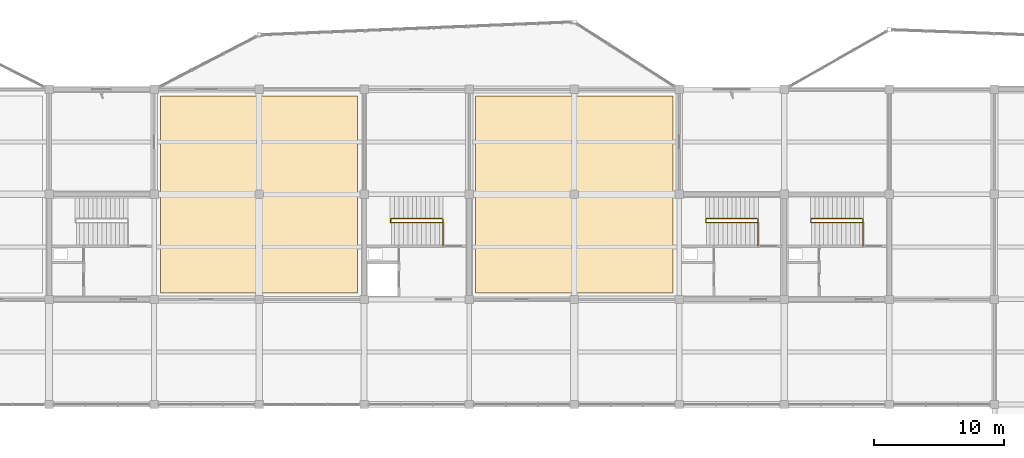
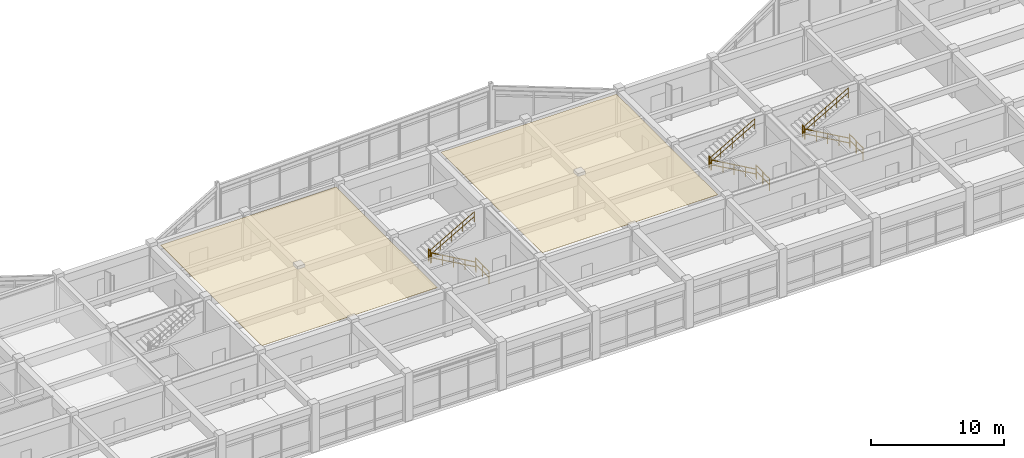
# One storey, part 85 of 89: 12 railings, 2 coverings.
"""IFC4 building model written with IfcOpenShell, lengths in metres."""

from ifc_helpers import new_model, si_unit, direction, frame, origin, origin_2d, place, context, subcontext, project, spatial, polyline, circle, outline, extrude, material, layer, layer_set, type_object, element, save


model = new_model("IFC4")

# Units and contexts
model_context = context("Model", 3, precision=1e-05, world=origin(), true_north=direction((0.0, 1.0)))
body_context = subcontext(model_context, "Body", "Model", "MODEL_VIEW")
ifc_project = project(units=[si_unit("LENGTHUNIT", "METRE"), si_unit("AREAUNIT", "SQUARE_METRE"), si_unit("VOLUMEUNIT", "CUBIC_METRE"), si_unit("PLANEANGLEUNIT", "RADIAN"), si_unit("MASSUNIT", "GRAM", prefix="KILO")], contexts=[model_context])

# Site, building, storey
site_placement = place(None, origin())
site = spatial("IfcSite", under=ifc_project, at=site_placement, CompositionType="ELEMENT")
building_placement = place(site_placement, origin())
building = spatial("IfcBuilding", under=site, at=building_placement, Name="Vaudrelin Polytechnic", CompositionType="ELEMENT")
storey_placement = place(building_placement, frame((0.0, 0.0, 9.68994140625)))
storey = spatial("IfcBuildingStorey", under=building, at=storey_placement, Name="L02", CompositionType="ELEMENT", Elevation=9.68994140625)

# Coverings
ifc_material_1 = material(Name="Mineral-fibre acoustic ceiling tile NRC 0.85", Category="ceiling")
ifc_layer = layer(ifc_material_1, 0.02490234375)
ifc_layer_set = layer_set([ifc_layer], Name="Mineral-fibre acoustic ceiling tile NRC 0.85")
covering_type = type_object("IfcCoveringType", Name="COV-CLG-ACT", PredefinedType="CEILING", material=ifc_layer_set)
covering_1_placement = place(storey_placement, frame((0.0, 0.0, 4.114990234375)))
element("IfcCovering", 1, at=covering_1_placement, inside=storey, type_object=covering_type, Name="Acoustic ceiling L02-010", PredefinedType="CEILING", context=body_context, shape_type="SweptSolid", body=[
    extrude(outline(polyline([(65.300048828125, 105.800048828125), (80.5, 105.800048828125), (80.5, 121.0), (65.300048828125, 121.0), (65.300048828125, 105.800048828125)])), origin(), (0.0, 0.0, 1.0), 0.025146484375),
])
covering_2_placement = place(storey_placement, frame((0.0, 0.0, 4.114990234375)))
element("IfcCovering", 2, at=covering_2_placement, inside=storey, type_object=covering_type, Name="Acoustic ceiling L02-011", PredefinedType="CEILING", context=body_context, shape_type="SweptSolid", body=[
    extrude(outline(polyline([(89.60009765625, 105.800048828125), (104.800048828125, 105.800048828125), (104.800048828125, 121.0), (89.60009765625, 121.0), (89.60009765625, 105.800048828125)])), origin(), (0.0, 0.0, 1.0), 0.025146484375),
])

# Railings
ifc_material_2 = material(Name="Brushed stainless steel AISI 304", Category="steel")
railing_type_1 = type_object("IfcRailingType", Name="RAL-GR-INT", PredefinedType="GUARDRAIL", material=ifc_material_2)
railing_1_placement = place(storey_placement, frame((87.080078125, 109.409912109375, 0.0)))
element("IfcRailing", 3, at=railing_1_placement, inside=storey, type_object=railing_type_1, Name="ST-02-L01 upper well guardrail", PredefinedType="GUARDRAIL", context=body_context, shape_type="SweptSolid", body=[
    extrude(circle(Radius=0.02392578125, at=origin_2d()), frame((0.0, 0.023193359375, 1.09619140625), z_axis=(0.0, 1.0, 0.0), x_axis=(-1.0, 0.0, 0.0)), (0.0, 0.0, 1.0), 2.02392578125),
    extrude(circle(Radius=0.02392578125, at=origin_2d()), frame((0.0, 0.023193359375, 0.56005859375), z_axis=(0.0, 1.0, 0.0), x_axis=(-1.0, 0.0, 0.0)), (0.0, 0.0, 1.0), 2.02392578125),
    extrude(circle(Radius=0.02099609375, at=origin_2d()), origin(), (0.0, 0.0, 1.0), 1.1201171875),
    extrude(circle(Radius=0.02099609375, at=origin_2d()), frame((0.0, 1.03515625, 0.0)), (0.0, 0.0, 1.0), 1.1201171875),
    extrude(circle(Radius=0.02099609375, at=origin_2d()), frame((0.0, 2.070068359375, 0.0)), (0.0, 0.0, 1.0), 1.1201171875),
])
railing_2_placement = place(storey_placement, frame((83.050048828125, 111.239990234375, 2.2099609375)))
element("IfcRailing", 4, at=railing_2_placement, inside=storey, type_object=railing_type_1, Name="ST-02-L02 landing well guardrail", PredefinedType="GUARDRAIL", context=body_context, shape_type="SweptSolid", body=[
    extrude(circle(Radius=0.02392578125, at=origin_2d()), frame((0.0, 0.023193359375, 1.09619140625), z_axis=(0.0, 1.0, 0.0), x_axis=(-1.0, 0.0, 0.0)), (0.0, 0.0, 1.0), 0.23388671875),
    extrude(circle(Radius=0.02392578125, at=origin_2d()), frame((0.0, 0.023193359375, 0.56005859375), z_axis=(0.0, 1.0, 0.0), x_axis=(-1.0, 0.0, 0.0)), (0.0, 0.0, 1.0), 0.23388671875),
    extrude(circle(Radius=0.02099609375, at=origin_2d()), origin(), (0.0, 0.0, 1.0), 1.1201171875),
    extrude(circle(Radius=0.02099609375, at=origin_2d()), frame((0.0, 0.280029296875, 0.0)), (0.0, 0.0, 1.0), 1.1201171875),
])
railing_3_placement = place(storey_placement, frame((119.47998046875, 109.409912109375, 0.0)))
element("IfcRailing", 5, at=railing_3_placement, inside=storey, type_object=railing_type_1, Name="ST-10-L01 upper well guardrail", PredefinedType="GUARDRAIL", context=body_context, shape_type="SweptSolid", body=[
    extrude(circle(Radius=0.02392578125, at=origin_2d()), frame((0.0, 0.023193359375, 1.09619140625), z_axis=(0.0, 1.0, 0.0), x_axis=(-1.0, 0.0, 0.0)), (0.0, 0.0, 1.0), 2.02392578125),
    extrude(circle(Radius=0.02392578125, at=origin_2d()), frame((0.0, 0.023193359375, 0.56005859375), z_axis=(0.0, 1.0, 0.0), x_axis=(-1.0, 0.0, 0.0)), (0.0, 0.0, 1.0), 2.02392578125),
    extrude(circle(Radius=0.02099609375, at=origin_2d()), origin(), (0.0, 0.0, 1.0), 1.1201171875),
    extrude(circle(Radius=0.02099609375, at=origin_2d()), frame((0.0, 1.03515625, 0.0)), (0.0, 0.0, 1.0), 1.1201171875),
    extrude(circle(Radius=0.02099609375, at=origin_2d()), frame((0.0, 2.070068359375, 0.0)), (0.0, 0.0, 1.0), 1.1201171875),
])
railing_4_placement = place(storey_placement, frame((115.449951171875, 111.239990234375, 2.2099609375)))
element("IfcRailing", 6, at=railing_4_placement, inside=storey, type_object=railing_type_1, Name="ST-10-L02 landing well guardrail", PredefinedType="GUARDRAIL", context=body_context, shape_type="SweptSolid", body=[
    extrude(circle(Radius=0.02392578125, at=origin_2d()), frame((0.0, 0.023193359375, 1.09619140625), z_axis=(0.0, 1.0, 0.0), x_axis=(-1.0, 0.0, 0.0)), (0.0, 0.0, 1.0), 0.23388671875),
    extrude(circle(Radius=0.02392578125, at=origin_2d()), frame((0.0, 0.023193359375, 0.56005859375), z_axis=(0.0, 1.0, 0.0), x_axis=(-1.0, 0.0, 0.0)), (0.0, 0.0, 1.0), 0.23388671875),
    extrude(circle(Radius=0.02099609375, at=origin_2d()), origin(), (0.0, 0.0, 1.0), 1.1201171875),
    extrude(circle(Radius=0.02099609375, at=origin_2d()), frame((0.0, 0.280029296875, 0.0)), (0.0, 0.0, 1.0), 1.1201171875),
])
railing_5_placement = place(storey_placement, frame((111.3798828125, 109.409912109375, 0.0)))
element("IfcRailing", 7, at=railing_5_placement, inside=storey, type_object=railing_type_1, Name="ST-11-L01 upper well guardrail", PredefinedType="GUARDRAIL", context=body_context, shape_type="SweptSolid", body=[
    extrude(circle(Radius=0.02392578125, at=origin_2d()), frame((0.0, 0.023193359375, 1.09619140625), z_axis=(0.0, 1.0, 0.0), x_axis=(-1.0, 0.0, 0.0)), (0.0, 0.0, 1.0), 2.02392578125),
    extrude(circle(Radius=0.02392578125, at=origin_2d()), frame((0.0, 0.023193359375, 0.56005859375), z_axis=(0.0, 1.0, 0.0), x_axis=(-1.0, 0.0, 0.0)), (0.0, 0.0, 1.0), 2.02392578125),
    extrude(circle(Radius=0.02099609375, at=origin_2d()), origin(), (0.0, 0.0, 1.0), 1.1201171875),
    extrude(circle(Radius=0.02099609375, at=origin_2d()), frame((0.0, 1.03515625, 0.0)), (0.0, 0.0, 1.0), 1.1201171875),
    extrude(circle(Radius=0.02099609375, at=origin_2d()), frame((0.0, 2.070068359375, 0.0)), (0.0, 0.0, 1.0), 1.1201171875),
])
railing_6_placement = place(storey_placement, frame((107.35009765625, 111.239990234375, 2.2099609375)))
element("IfcRailing", 8, at=railing_6_placement, inside=storey, type_object=railing_type_1, Name="ST-11-L02 landing well guardrail", PredefinedType="GUARDRAIL", context=body_context, shape_type="SweptSolid", body=[
    extrude(circle(Radius=0.02392578125, at=origin_2d()), frame((0.0, 0.023193359375, 1.09619140625), z_axis=(0.0, 1.0, 0.0), x_axis=(-1.0, 0.0, 0.0)), (0.0, 0.0, 1.0), 0.23388671875),
    extrude(circle(Radius=0.02392578125, at=origin_2d()), frame((0.0, 0.023193359375, 0.56005859375), z_axis=(0.0, 1.0, 0.0), x_axis=(-1.0, 0.0, 0.0)), (0.0, 0.0, 1.0), 0.23388671875),
    extrude(circle(Radius=0.02099609375, at=origin_2d()), origin(), (0.0, 0.0, 1.0), 1.1201171875),
    extrude(circle(Radius=0.02099609375, at=origin_2d()), frame((0.0, 0.280029296875, 0.0)), (0.0, 0.0, 1.0), 1.1201171875),
])
railing_type_2 = type_object("IfcRailingType", Name="RAL-HR-STR", PredefinedType="HANDRAIL", material=ifc_material_2)
railing_7_placement = place(storey_placement, frame((87.0, 111.22998046875, 0.0)))
element("IfcRailing", 9, at=railing_7_placement, inside=storey, type_object=railing_type_2, Name="ST-02-L02 flight 1 handrail", PredefinedType="HANDRAIL", context=body_context, shape_type="SweptSolid", body=[
    extrude(circle(Radius=0.02392578125, at=origin_2d()), frame((-0.02001953125, 0.0, 0.9072265625), z_axis=(-0.86947626696, 0.0, 0.493974717161), x_axis=(0.0, -1.0, 0.0)), (0.0, 0.0, 1.0), 4.427734375),
    extrude(circle(Radius=0.02392578125, at=origin_2d()), frame((-0.02001953125, 0.0, 0.471435546875), z_axis=(-0.86947626696, 0.0, 0.493974717161), x_axis=(0.0, -1.0, 0.0)), (0.0, 0.0, 1.0), 4.427734375),
    extrude(circle(Radius=0.02099609375, at=origin_2d()), origin(), (0.0, 0.0, 1.0), 0.919921875),
    extrude(circle(Radius=0.02099609375, at=origin_2d()), frame((-0.972412109375, 0.0, 0.552490234375)), (0.0, 0.0, 1.0), 0.919921875),
    extrude(circle(Radius=0.02099609375, at=origin_2d()), frame((-1.94482421875, 0.0, 1.10498046875)), (0.0, 0.0, 1.0), 0.919921875),
    extrude(circle(Radius=0.02099609375, at=origin_2d()), frame((-2.91748046875, 0.0, 1.657470703125)), (0.0, 0.0, 1.0), 0.919921875),
    extrude(circle(Radius=0.02099609375, at=origin_2d()), frame((-3.889892578125, 0.0, 2.2099609375)), (0.0, 0.0, 1.0), 0.919921875),
])
railing_8_placement = place(storey_placement, frame((83.110107421875, 111.530029296875, 2.2099609375)))
element("IfcRailing", 10, at=railing_8_placement, inside=storey, type_object=railing_type_2, Name="ST-02-L02 flight 2 handrail", PredefinedType="HANDRAIL", context=body_context, shape_type="SweptSolid", body=[
    extrude(circle(Radius=0.02392578125, at=origin_2d()), frame((0.02001953125, 0.0, 0.9072265625), z_axis=(0.869452828501, 0.0, 0.494015970402), x_axis=(0.0, 1.0, 0.0)), (0.0, 0.0, 1.0), 4.427734375),
    extrude(circle(Radius=0.02392578125, at=origin_2d()), frame((0.02001953125, 0.0, 0.471435546875), z_axis=(0.869452828501, 0.0, 0.494015970402), x_axis=(0.0, 1.0, 0.0)), (0.0, 0.0, 1.0), 4.427734375),
    extrude(circle(Radius=0.02099609375, at=origin_2d()), origin(), (0.0, 0.0, 1.0), 0.919921875),
    extrude(circle(Radius=0.02099609375, at=origin_2d()), frame((0.972412109375, 0.0, 0.552490234375)), (0.0, 0.0, 1.0), 0.919921875),
    extrude(circle(Radius=0.02099609375, at=origin_2d()), frame((1.94482421875, 0.0, 1.10498046875)), (0.0, 0.0, 1.0), 0.919921875),
    extrude(circle(Radius=0.02099609375, at=origin_2d()), frame((2.91748046875, 0.0, 1.65771484375)), (0.0, 0.0, 1.0), 0.919921875),
    extrude(circle(Radius=0.02099609375, at=origin_2d()), frame((3.889892578125, 0.0, 2.210205078125)), (0.0, 0.0, 1.0), 0.919921875),
])
railing_9_placement = place(storey_placement, frame((119.39990234375, 111.22998046875, 0.0)))
element("IfcRailing", 11, at=railing_9_placement, inside=storey, type_object=railing_type_2, Name="ST-10-L02 flight 1 handrail", PredefinedType="HANDRAIL", context=body_context, shape_type="SweptSolid", body=[
    extrude(circle(Radius=0.02392578125, at=origin_2d()), frame((-0.02001953125, 0.0, 0.9072265625), z_axis=(-0.86947626696, 0.0, 0.493974717161), x_axis=(0.0, -1.0, 0.0)), (0.0, 0.0, 1.0), 4.427734375),
    extrude(circle(Radius=0.02392578125, at=origin_2d()), frame((-0.02001953125, 0.0, 0.471435546875), z_axis=(-0.86947626696, 0.0, 0.493974717161), x_axis=(0.0, -1.0, 0.0)), (0.0, 0.0, 1.0), 4.427734375),
    extrude(circle(Radius=0.02099609375, at=origin_2d()), origin(), (0.0, 0.0, 1.0), 0.919921875),
    extrude(circle(Radius=0.02099609375, at=origin_2d()), frame((-0.972412109375, 0.0, 0.552490234375)), (0.0, 0.0, 1.0), 0.919921875),
    extrude(circle(Radius=0.02099609375, at=origin_2d()), frame((-1.94482421875, 0.0, 1.10498046875)), (0.0, 0.0, 1.0), 0.919921875),
    extrude(circle(Radius=0.02099609375, at=origin_2d()), frame((-2.91748046875, 0.0, 1.657470703125)), (0.0, 0.0, 1.0), 0.919921875),
    extrude(circle(Radius=0.02099609375, at=origin_2d()), frame((-3.889892578125, 0.0, 2.2099609375)), (0.0, 0.0, 1.0), 0.919921875),
])
railing_10_placement = place(storey_placement, frame((115.510009765625, 111.530029296875, 2.2099609375)))
element("IfcRailing", 12, at=railing_10_placement, inside=storey, type_object=railing_type_2, Name="ST-10-L02 flight 2 handrail", PredefinedType="HANDRAIL", context=body_context, shape_type="SweptSolid", body=[
    extrude(circle(Radius=0.02392578125, at=origin_2d()), frame((0.02001953125, 0.0, 0.9072265625), z_axis=(0.869452828501, 0.0, 0.494015970402), x_axis=(0.0, 1.0, 0.0)), (0.0, 0.0, 1.0), 4.427734375),
    extrude(circle(Radius=0.02392578125, at=origin_2d()), frame((0.02001953125, 0.0, 0.471435546875), z_axis=(0.869452828501, 0.0, 0.494015970402), x_axis=(0.0, 1.0, 0.0)), (0.0, 0.0, 1.0), 4.427734375),
    extrude(circle(Radius=0.02099609375, at=origin_2d()), origin(), (0.0, 0.0, 1.0), 0.919921875),
    extrude(circle(Radius=0.02099609375, at=origin_2d()), frame((0.972412109375, 0.0, 0.552490234375)), (0.0, 0.0, 1.0), 0.919921875),
    extrude(circle(Radius=0.02099609375, at=origin_2d()), frame((1.94482421875, 0.0, 1.10498046875)), (0.0, 0.0, 1.0), 0.919921875),
    extrude(circle(Radius=0.02099609375, at=origin_2d()), frame((2.91748046875, 0.0, 1.65771484375)), (0.0, 0.0, 1.0), 0.919921875),
    extrude(circle(Radius=0.02099609375, at=origin_2d()), frame((3.889892578125, 0.0, 2.210205078125)), (0.0, 0.0, 1.0), 0.919921875),
])
railing_11_placement = place(storey_placement, frame((111.300048828125, 111.22998046875, 0.0)))
element("IfcRailing", 13, at=railing_11_placement, inside=storey, type_object=railing_type_2, Name="ST-11-L02 flight 1 handrail", PredefinedType="HANDRAIL", context=body_context, shape_type="SweptSolid", body=[
    extrude(circle(Radius=0.02392578125, at=origin_2d()), frame((-0.02001953125, 0.0, 0.9072265625), z_axis=(-0.869489581884, 0.0, 0.493951279981), x_axis=(0.0, -1.0, 0.0)), (0.0, 0.0, 1.0), 4.427734375),
    extrude(circle(Radius=0.02392578125, at=origin_2d()), frame((-0.02001953125, 0.0, 0.471435546875), z_axis=(-0.869489581884, 0.0, 0.493951279981), x_axis=(0.0, -1.0, 0.0)), (0.0, 0.0, 1.0), 4.427734375),
    extrude(circle(Radius=0.02099609375, at=origin_2d()), origin(), (0.0, 0.0, 1.0), 0.919921875),
    extrude(circle(Radius=0.02099609375, at=origin_2d()), frame((-0.97265625, 0.0, 0.552490234375)), (0.0, 0.0, 1.0), 0.919921875),
    extrude(circle(Radius=0.02099609375, at=origin_2d()), frame((-1.945068359375, 0.0, 1.10498046875)), (0.0, 0.0, 1.0), 0.919921875),
    extrude(circle(Radius=0.02099609375, at=origin_2d()), frame((-2.91748046875, 0.0, 1.657470703125)), (0.0, 0.0, 1.0), 0.919921875),
    extrude(circle(Radius=0.02099609375, at=origin_2d()), frame((-3.89013671875, 0.0, 2.2099609375)), (0.0, 0.0, 1.0), 0.919921875),
])
railing_12_placement = place(storey_placement, frame((107.409912109375, 111.530029296875, 2.2099609375)))
element("IfcRailing", 14, at=railing_12_placement, inside=storey, type_object=railing_type_2, Name="ST-11-L02 flight 2 handrail", PredefinedType="HANDRAIL", context=body_context, shape_type="SweptSolid", body=[
    extrude(circle(Radius=0.02392578125, at=origin_2d()), frame((0.02001953125, 0.0, 0.9072265625), z_axis=(0.86946614529, 0.0, 0.493992532529), x_axis=(0.0, 1.0, 0.0)), (0.0, 0.0, 1.0), 4.427978515625),
    extrude(circle(Radius=0.02392578125, at=origin_2d()), frame((0.02001953125, 0.0, 0.471435546875), z_axis=(0.86946614529, 0.0, 0.493992532529), x_axis=(0.0, 1.0, 0.0)), (0.0, 0.0, 1.0), 4.427978515625),
    extrude(circle(Radius=0.02099609375, at=origin_2d()), origin(), (0.0, 0.0, 1.0), 0.919921875),
    extrude(circle(Radius=0.02099609375, at=origin_2d()), frame((0.97265625, 0.0, 0.552490234375)), (0.0, 0.0, 1.0), 0.919921875),
    extrude(circle(Radius=0.02099609375, at=origin_2d()), frame((1.945068359375, 0.0, 1.10498046875)), (0.0, 0.0, 1.0), 0.919921875),
    extrude(circle(Radius=0.02099609375, at=origin_2d()), frame((2.91748046875, 0.0, 1.65771484375)), (0.0, 0.0, 1.0), 0.919921875),
    extrude(circle(Radius=0.02099609375, at=origin_2d()), frame((3.89013671875, 0.0, 2.210205078125)), (0.0, 0.0, 1.0), 0.919921875),
])

save(model, "model.ifc")
